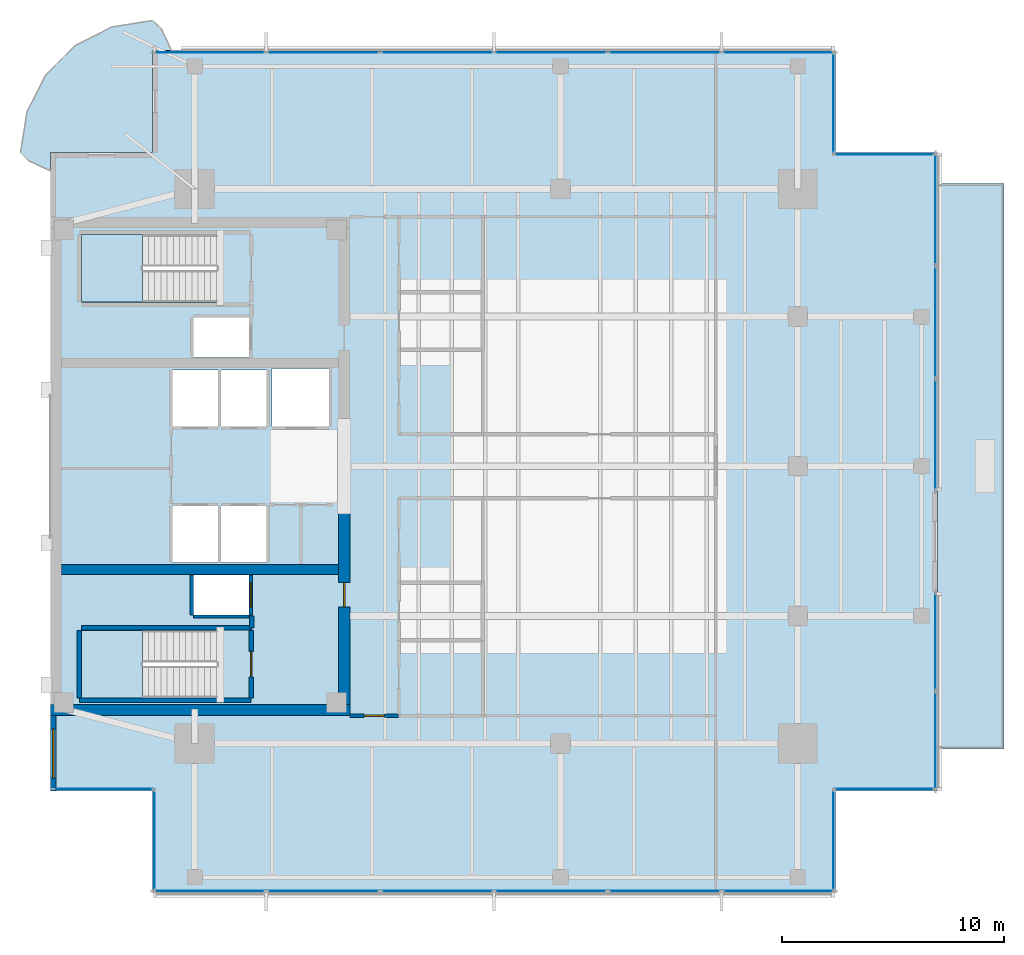
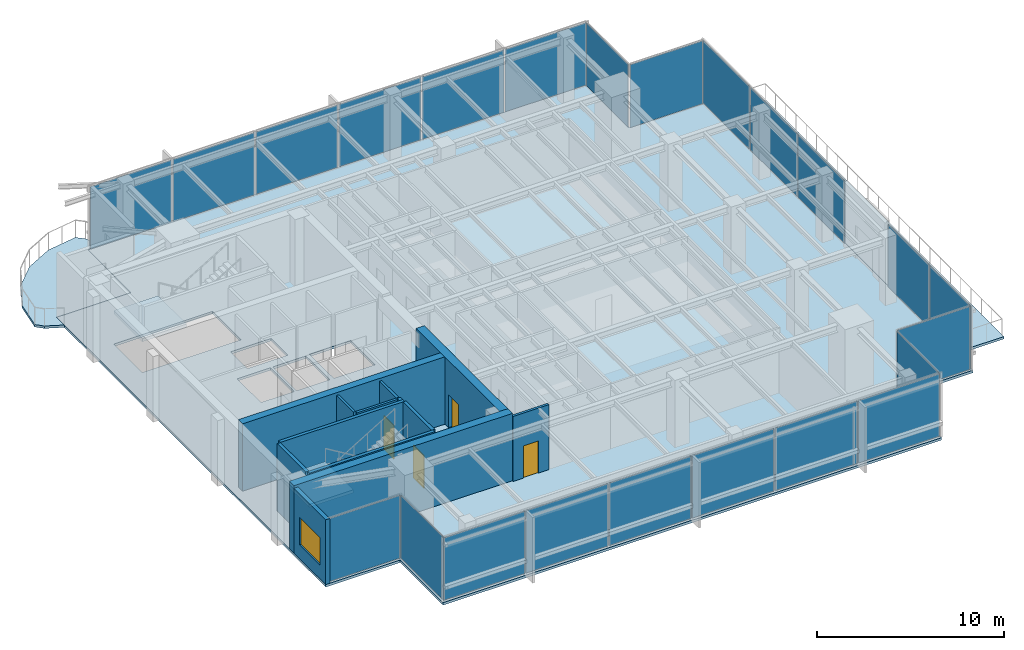
# One storey, part 7 of 14: 23 plates, 13 walls, 5 slabs, 4 doors, 1 window, 5 openings, 12 elements without a shape of their own.
"""IFC4 building model written with IfcOpenShell, lengths in metres."""

from ifc_helpers import new_model, si_unit, direction, frame, frame_2d, origin, origin_2d, place, context, subcontext, project, spatial, polyline, rectangle, outline, extrude, material, layer, layer_set, type_object, element, fill, aggregate, save


model = new_model("IFC4")

# Units and contexts
model_context = context("Model", 3, precision=1e-05, world=origin(), true_north=direction((0.0, 1.0)))
body_context = subcontext(model_context, "Body", "Model", "MODEL_VIEW")
ifc_project = project(units=[si_unit("LENGTHUNIT", "METRE"), si_unit("AREAUNIT", "SQUARE_METRE"), si_unit("VOLUMEUNIT", "CUBIC_METRE"), si_unit("PLANEANGLEUNIT", "RADIAN"), si_unit("MASSUNIT", "GRAM", prefix="KILO")], contexts=[model_context])

# Site, building, storey
site_placement = place(None, origin())
site = spatial("IfcSite", under=ifc_project, at=site_placement, CompositionType="ELEMENT")
building_placement = place(site_placement, origin())
building = spatial("IfcBuilding", under=site, at=building_placement, Name="Kinhvarn Gate Tower", CompositionType="ELEMENT")
storey_placement = place(building_placement, frame((0.0, 0.0, 244.85009765625)))
storey = spatial("IfcBuildingStorey", under=building, at=storey_placement, Name="L65", CompositionType="ELEMENT", Elevation=244.85009765625)

# Curtain wall, plates
ifc_material_1 = material(Name="Anodised aluminium AW-6063", Category="aluminium")
ifc_layer_1 = layer(ifc_material_1, 0.219970703125)
ifc_layer_set_1 = layer_set([ifc_layer_1], Name="Anodised aluminium AW-6063")
curtain_wall_type_1 = type_object("IfcCurtainWallType", Name="CW-SYS-5", PredefinedType="NOTDEFINED", material=ifc_layer_set_1)
curtain_wall_1_placement = place(storey_placement, origin())
curtain_wall_1 = element("IfcCurtainWall", 1, at=curtain_wall_1_placement, inside=storey, type_object=curtain_wall_type_1, Name="Curtain Wall CW5 (L65)", PredefinedType="NOTDEFINED")
ifc_material_2 = material(Name="Clear low-e double glazing", Category="glass")
ifc_layer_2 = layer(ifc_material_2, 0.031982421875)
ifc_layer_set_2 = layer_set([ifc_layer_2], Name="Clear low-e double glazing")
plate_type = type_object("IfcPlateType", Name="CW-PNL-VIS", PredefinedType="CURTAIN_PANEL", material=ifc_layer_set_2)
plate_1_placement = place(storey_placement, frame((11.686767578125, 6.090087890625, 0.079833984375), z_axis=(0.0, 0.0, 1.0), x_axis=(1.0, 0.0, 0.0)))
plate_1 = element("IfcPlate", 2, at=plate_1_placement, type_object=plate_type, Name="CW5 panel 1.1", PredefinedType="CURTAIN_PANEL", context=body_context, shape_type="SweptSolid", body=[
    extrude(rectangle(XDim=5.013427734375, YDim=0.031982421875, at=origin_2d()), origin(), (0.0, 0.0, 1.0), 4.080078125),
])
plate_2_placement = place(storey_placement, frame((16.800048828125, 6.090087890625, 0.079833984375), z_axis=(0.0, 0.0, 1.0), x_axis=(1.0, 0.0, 0.0)))
plate_2 = element("IfcPlate", 3, at=plate_2_placement, type_object=plate_type, Name="CW5 panel 2.1", PredefinedType="CURTAIN_PANEL", context=body_context, shape_type="SweptSolid", body=[
    extrude(rectangle(XDim=5.05322265625, YDim=0.031982421875, at=origin_2d()), origin(), (0.0, 0.0, 1.0), 4.080078125),
])
plate_3_placement = place(storey_placement, frame((21.933349609375, 6.090087890625, 0.079833984375), z_axis=(0.0, 0.0, 1.0), x_axis=(1.0, 0.0, 0.0)))
plate_3 = element("IfcPlate", 4, at=plate_3_placement, type_object=plate_type, Name="CW5 panel 3.1", PredefinedType="CURTAIN_PANEL", context=body_context, shape_type="SweptSolid", body=[
    extrude(rectangle(XDim=5.05322265625, YDim=0.031982421875, at=origin_2d()), origin(), (0.0, 0.0, 1.0), 4.080078125),
])
plate_4_placement = place(storey_placement, frame((27.066650390625, 6.090087890625, 0.079833984375), z_axis=(0.0, 0.0, 1.0), x_axis=(1.0, 0.0, 0.0)))
plate_4 = element("IfcPlate", 5, at=plate_4_placement, type_object=plate_type, Name="CW5 panel 4.1", PredefinedType="CURTAIN_PANEL", context=body_context, shape_type="SweptSolid", body=[
    extrude(rectangle(XDim=5.05322265625, YDim=0.031982421875, at=origin_2d()), origin(), (0.0, 0.0, 1.0), 4.080078125),
])
plate_5_placement = place(storey_placement, frame((32.199951171875, 6.090087890625, 0.079833984375), z_axis=(0.0, 0.0, 1.0), x_axis=(1.0, 0.0, 0.0)))
plate_5 = element("IfcPlate", 6, at=plate_5_placement, type_object=plate_type, Name="CW5 panel 5.1", PredefinedType="CURTAIN_PANEL", context=body_context, shape_type="SweptSolid", body=[
    extrude(rectangle(XDim=5.05322265625, YDim=0.031982421875, at=origin_2d()), origin(), (0.0, 0.0, 1.0), 4.080078125),
])
plate_6_placement = place(storey_placement, frame((37.313232421875, 6.090087890625, 0.079833984375), z_axis=(0.0, 0.0, 1.0), x_axis=(1.0, 0.0, 0.0)))
plate_6 = element("IfcPlate", 7, at=plate_6_placement, type_object=plate_type, Name="CW5 panel 6.1", PredefinedType="CURTAIN_PANEL", context=body_context, shape_type="SweptSolid", body=[
    extrude(rectangle(XDim=5.013427734375, YDim=0.031982421875, at=origin_2d()), origin(), (0.0, 0.0, 1.0), 4.080078125),
])
aggregate(curtain_wall_1, [plate_1, plate_2, plate_3, plate_4, plate_5, plate_6])

curtain_wall_2_placement = place(storey_placement, origin())
curtain_wall_2 = element("IfcCurtainWall", 8, at=curtain_wall_2_placement, inside=storey, type_object=curtain_wall_type_1, Name="Curtain Wall CW5 (L65)", PredefinedType="NOTDEFINED")
plate_7_placement = place(storey_placement, frame((37.313232421875, 43.909912109375, 0.079833984375), z_axis=(0.0, 0.0, 1.0), x_axis=(-1.0, 0.0, 0.0)))
plate_7 = element("IfcPlate", 9, at=plate_7_placement, type_object=plate_type, Name="CW5 panel 1.1", PredefinedType="CURTAIN_PANEL", context=body_context, shape_type="SweptSolid", body=[
    extrude(rectangle(XDim=5.013427734375, YDim=0.031982421875, at=origin_2d()), origin(), (0.0, 0.0, 1.0), 4.080078125),
])
plate_8_placement = place(storey_placement, frame((32.199951171875, 43.909912109375, 0.079833984375), z_axis=(0.0, 0.0, 1.0), x_axis=(-1.0, 0.0, 0.0)))
plate_8 = element("IfcPlate", 10, at=plate_8_placement, type_object=plate_type, Name="CW5 panel 2.1", PredefinedType="CURTAIN_PANEL", context=body_context, shape_type="SweptSolid", body=[
    extrude(rectangle(XDim=5.05322265625, YDim=0.031982421875, at=origin_2d()), origin(), (0.0, 0.0, 1.0), 4.080078125),
])
plate_9_placement = place(storey_placement, frame((27.066650390625, 43.909912109375, 0.079833984375), z_axis=(0.0, 0.0, 1.0), x_axis=(-1.0, 0.0, 0.0)))
plate_9 = element("IfcPlate", 11, at=plate_9_placement, type_object=plate_type, Name="CW5 panel 3.1", PredefinedType="CURTAIN_PANEL", context=body_context, shape_type="SweptSolid", body=[
    extrude(rectangle(XDim=5.05322265625, YDim=0.031982421875, at=origin_2d()), origin(), (0.0, 0.0, 1.0), 4.080078125),
])
plate_10_placement = place(storey_placement, frame((21.933349609375, 43.909912109375, 0.079833984375), z_axis=(0.0, 0.0, 1.0), x_axis=(-1.0, 0.0, 0.0)))
plate_10 = element("IfcPlate", 12, at=plate_10_placement, type_object=plate_type, Name="CW5 panel 4.1", PredefinedType="CURTAIN_PANEL", context=body_context, shape_type="SweptSolid", body=[
    extrude(rectangle(XDim=5.05322265625, YDim=0.031982421875, at=origin_2d()), origin(), (0.0, 0.0, 1.0), 4.080078125),
])
plate_11_placement = place(storey_placement, frame((16.800048828125, 43.909912109375, 0.079833984375), z_axis=(0.0, 0.0, 1.0), x_axis=(-1.0, 0.0, 0.0)))
plate_11 = element("IfcPlate", 13, at=plate_11_placement, type_object=plate_type, Name="CW5 panel 5.1", PredefinedType="CURTAIN_PANEL", context=body_context, shape_type="SweptSolid", body=[
    extrude(rectangle(XDim=5.05322265625, YDim=0.031982421875, at=origin_2d()), origin(), (0.0, 0.0, 1.0), 4.080078125),
])
plate_12_placement = place(storey_placement, frame((11.686767578125, 43.909912109375, 0.079833984375), z_axis=(0.0, 0.0, 1.0), x_axis=(-1.0, 0.0, 0.0)))
plate_12 = element("IfcPlate", 14, at=plate_12_placement, type_object=plate_type, Name="CW5 panel 6.1", PredefinedType="CURTAIN_PANEL", context=body_context, shape_type="SweptSolid", body=[
    extrude(rectangle(XDim=5.013427734375, YDim=0.031982421875, at=origin_2d()), origin(), (0.0, 0.0, 1.0), 4.080078125),
])
aggregate(curtain_wall_2, [plate_7, plate_8, plate_9, plate_10, plate_11, plate_12])

curtain_wall_3_placement = place(storey_placement, origin())
curtain_wall_3 = element("IfcCurtainWall", 15, at=curtain_wall_3_placement, inside=storey, type_object=curtain_wall_type_1, Name="Curtain Wall CW5 (L65)", PredefinedType="NOTDEFINED")
plate_13_placement = place(storey_placement, frame((44.409912109375, 12.8701171875, 0.079833984375), z_axis=(0.0, 0.0, 1.0), x_axis=(0.0, 1.0, 0.0)))
plate_13 = element("IfcPlate", 16, at=plate_13_placement, type_object=plate_type, Name="CW5 panel 1.1", PredefinedType="CURTAIN_PANEL", context=body_context, shape_type="SweptSolid", body=[
    extrude(rectangle(XDim=4.3798828125, YDim=0.031982421875, at=origin_2d()), origin(), (0.0, 0.0, 1.0), 4.080078125),
])
plate_14_placement = place(storey_placement, frame((44.409912109375, 17.330078125, 0.079833984375), z_axis=(0.0, 0.0, 1.0), x_axis=(0.0, 1.0, 0.0)))
plate_14 = element("IfcPlate", 17, at=plate_14_placement, type_object=plate_type, Name="CW5 panel 2.1", PredefinedType="CURTAIN_PANEL", context=body_context, shape_type="SweptSolid", body=[
    extrude(rectangle(XDim=4.3798828125, YDim=0.031982421875, at=origin_2d()), origin(), (0.0, 0.0, 1.0), 4.080078125),
])
aggregate(curtain_wall_3, [plate_13, plate_14])

curtain_wall_4_placement = place(storey_placement, origin())
curtain_wall_4 = element("IfcCurtainWall", 18, at=curtain_wall_4_placement, inside=storey, type_object=curtain_wall_type_1, Name="Curtain Wall CW5 (L65)", PredefinedType="NOTDEFINED")
plate_15_placement = place(storey_placement, frame((44.409912109375, 26.669921875, 0.079833984375), z_axis=(0.0, 0.0, 1.0), x_axis=(0.0, 1.0, 0.0)))
plate_15 = element("IfcPlate", 19, at=plate_15_placement, type_object=plate_type, Name="CW5 panel 1.1", PredefinedType="CURTAIN_PANEL", context=body_context, shape_type="SweptSolid", body=[
    extrude(rectangle(XDim=4.97998046875, YDim=0.031982421875, at=origin_2d()), origin(), (0.0, 0.0, 1.0), 4.080078125),
])
plate_16_placement = place(storey_placement, frame((44.409912109375, 31.75, 0.079833984375), z_axis=(0.0, 0.0, 1.0), x_axis=(0.0, 1.0, 0.0)))
plate_16 = element("IfcPlate", 20, at=plate_16_placement, type_object=plate_type, Name="CW5 panel 2.1", PredefinedType="CURTAIN_PANEL", context=body_context, shape_type="SweptSolid", body=[
    extrude(rectangle(XDim=5.02001953125, YDim=0.031982421875, at=origin_2d()), origin(), (0.0, 0.0, 1.0), 4.080078125),
])
plate_17_placement = place(storey_placement, frame((44.409912109375, 36.830078125, 0.079833984375), z_axis=(0.0, 0.0, 1.0), x_axis=(0.0, 1.0, 0.0)))
plate_17 = element("IfcPlate", 21, at=plate_17_placement, type_object=plate_type, Name="CW5 panel 3.1", PredefinedType="CURTAIN_PANEL", context=body_context, shape_type="SweptSolid", body=[
    extrude(rectangle(XDim=4.97998046875, YDim=0.031982421875, at=origin_2d()), origin(), (0.0, 0.0, 1.0), 4.080078125),
])
aggregate(curtain_wall_4, [plate_15, plate_16, plate_17])

# Curtain wall, plate
ifc_layer_3 = layer(ifc_material_1, 0.179931640625)
ifc_layer_set_3 = layer_set([ifc_layer_3], Name="Anodised aluminium AW-6063")
curtain_wall_type_2 = type_object("IfcCurtainWallType", Name="CW-SYS-4", PredefinedType="NOTDEFINED", material=ifc_layer_set_3)
curtain_wall_5_placement = place(storey_placement, origin())
curtain_wall_5 = element("IfcCurtainWall", 22, at=curtain_wall_5_placement, inside=storey, type_object=curtain_wall_type_2, Name="Curtain Wall CW4 (L65)", PredefinedType="NOTDEFINED")
plate_18_placement = place(storey_placement, frame((6.889892578125, 10.68994140625, 0.06494140625), z_axis=(0.0, 0.0, 1.0), x_axis=(1.0, 0.0, 0.0)))
plate_18 = element("IfcPlate", 23, at=plate_18_placement, type_object=plate_type, Name="CW4 panel 1.1", PredefinedType="CURTAIN_PANEL", context=body_context, shape_type="SweptSolid", body=[
    extrude(rectangle(XDim=4.469970703125, YDim=0.031982421875, at=origin_2d()), origin(), (0.0, 0.0, 1.0), 4.110107421875),
])
aggregate(curtain_wall_5, [plate_18])

curtain_wall_6_placement = place(storey_placement, origin())
curtain_wall_6 = element("IfcCurtainWall", 24, at=curtain_wall_6_placement, inside=storey, type_object=curtain_wall_type_2, Name="Curtain Wall CW4 (L65)", PredefinedType="NOTDEFINED")
plate_19_placement = place(storey_placement, frame((9.18994140625, 8.389892578125, 0.06494140625), z_axis=(0.0, 0.0, 1.0), x_axis=(0.0, -1.0, 0.0)))
plate_19 = element("IfcPlate", 25, at=plate_19_placement, type_object=plate_type, Name="CW4 panel 1.1", PredefinedType="CURTAIN_PANEL", context=body_context, shape_type="SweptSolid", body=[
    extrude(rectangle(XDim=4.469970703125, YDim=0.031982421875, at=origin_2d()), origin(), (0.0, 0.0, 1.0), 4.110107421875),
])
aggregate(curtain_wall_6, [plate_19])

curtain_wall_7_placement = place(storey_placement, origin())
curtain_wall_7 = element("IfcCurtainWall", 26, at=curtain_wall_7_placement, inside=storey, type_object=curtain_wall_type_2, Name="Curtain Wall CW4 (L65)", PredefinedType="NOTDEFINED")
plate_20_placement = place(storey_placement, frame((39.81005859375, 8.389892578125, 0.06494140625), z_axis=(0.0, 0.0, 1.0), x_axis=(0.0, 1.0, 0.0)))
plate_20 = element("IfcPlate", 27, at=plate_20_placement, type_object=plate_type, Name="CW4 panel 1.1", PredefinedType="CURTAIN_PANEL", context=body_context, shape_type="SweptSolid", body=[
    extrude(rectangle(XDim=4.469970703125, YDim=0.031982421875, at=origin_2d()), origin(), (0.0, 0.0, 1.0), 4.110107421875),
])
aggregate(curtain_wall_7, [plate_20])

curtain_wall_8_placement = place(storey_placement, origin())
curtain_wall_8 = element("IfcCurtainWall", 28, at=curtain_wall_8_placement, inside=storey, type_object=curtain_wall_type_2, Name="Curtain Wall CW4 (L65)", PredefinedType="NOTDEFINED")
plate_21_placement = place(storey_placement, frame((42.110107421875, 10.68994140625, 0.06494140625), z_axis=(0.0, 0.0, 1.0), x_axis=(1.0, 0.0, 0.0)))
plate_21 = element("IfcPlate", 29, at=plate_21_placement, type_object=plate_type, Name="CW4 panel 1.1", PredefinedType="CURTAIN_PANEL", context=body_context, shape_type="SweptSolid", body=[
    extrude(rectangle(XDim=4.469970703125, YDim=0.031982421875, at=origin_2d()), origin(), (0.0, 0.0, 1.0), 4.110107421875),
])
aggregate(curtain_wall_8, [plate_21])

curtain_wall_9_placement = place(storey_placement, origin())
curtain_wall_9 = element("IfcCurtainWall", 30, at=curtain_wall_9_placement, inside=storey, type_object=curtain_wall_type_2, Name="Curtain Wall CW4 (L65)", PredefinedType="NOTDEFINED")
plate_22_placement = place(storey_placement, frame((42.110107421875, 39.31005859375, 0.06494140625), z_axis=(0.0, 0.0, 1.0), x_axis=(-1.0, 0.0, 0.0)))
plate_22 = element("IfcPlate", 31, at=plate_22_placement, type_object=plate_type, Name="CW4 panel 1.1", PredefinedType="CURTAIN_PANEL", context=body_context, shape_type="SweptSolid", body=[
    extrude(rectangle(XDim=4.469970703125, YDim=0.031982421875, at=origin_2d()), origin(), (0.0, 0.0, 1.0), 4.110107421875),
])
aggregate(curtain_wall_9, [plate_22])

curtain_wall_10_placement = place(storey_placement, origin())
curtain_wall_10 = element("IfcCurtainWall", 32, at=curtain_wall_10_placement, inside=storey, type_object=curtain_wall_type_2, Name="Curtain Wall CW4 (L65)", PredefinedType="NOTDEFINED")
plate_23_placement = place(storey_placement, frame((39.81005859375, 41.610107421875, 0.06494140625), z_axis=(0.0, 0.0, 1.0), x_axis=(0.0, 1.0, 0.0)))
plate_23 = element("IfcPlate", 33, at=plate_23_placement, type_object=plate_type, Name="CW4 panel 1.1", PredefinedType="CURTAIN_PANEL", context=body_context, shape_type="SweptSolid", body=[
    extrude(rectangle(XDim=4.469970703125, YDim=0.031982421875, at=origin_2d()), origin(), (0.0, 0.0, 1.0), 4.110107421875),
])
aggregate(curtain_wall_10, [plate_23])

# Slabs
ifc_material_3 = material(Name="Precast white architectural concrete C40/50", Category="concrete")
ifc_layer_4 = layer(ifc_material_3, 0.159912109375)
ifc_layer_set_4 = layer_set([ifc_layer_4], Name="Precast white architectural concrete C40/50")
slab_type_1 = type_object("IfcSlabType", Name="SLB-BAL-160", PredefinedType="FLOOR", material=ifc_layer_set_4)
slab_1_placement = place(storey_placement, frame((0.0, 0.0, -0.16015625)))
element("IfcSlab", 34, at=slab_1_placement, inside=storey, type_object=slab_type_1, Name="S-Carve Curved Terrace Balcony Slab L65 (NW)", PredefinedType="FLOOR", context=body_context, shape_type="SweptSolid", body=[
    extrude(outline(polyline([(9.9541015625, 44.0), (9.50390625, 44.971923828125), (9.10009765625, 45.35009765625), (7.26123046875, 45.058837890625), (5.602783203125, 44.213623046875), (4.286376953125, 42.897216796875), (3.441162109375, 41.23876953125), (3.14990234375, 39.39990234375), (3.528076171875, 39.02001953125), (4.5, 38.570068359375), (4.5, 39.39990234375), (9.10009765625, 39.39990234375), (9.10009765625, 44.0), (9.9541015625, 44.0)])), origin(), (0.0, 0.0, 1.0), 0.16015625),
])
ifc_material_4 = material(Name="Concrete C40/50", Category="concrete")
ifc_layer_5 = layer(ifc_material_4, 0.159912109375)
ifc_layer_set_5 = layer_set([ifc_layer_5], Name="Concrete C40/50")
slab_type_2 = type_object("IfcSlabType", Name="SLB-FLR-160", PredefinedType="FLOOR", material=ifc_layer_set_5)
slab_2_placement = place(storey_placement, frame((0.0, 0.0, -0.16015625)))
element("IfcSlab", 35, at=slab_2_placement, inside=storey, type_object=slab_type_2, Name="Suspended Floor Slab L65", PredefinedType="FLOOR", context=body_context, shape_type="SweptSolid", body=[
    extrude(outline(polyline([(9.10009765625, 6.0), (39.89990234375, 6.0), (39.89990234375, 10.60009765625), (44.5, 10.60009765625), (44.5, 39.39990234375), (39.89990234375, 39.39990234375), (39.89990234375, 44.0), (9.10009765625, 44.0), (9.10009765625, 39.39990234375), (4.5, 39.39990234375), (4.5, 10.60009765625), (9.10009765625, 10.60009765625), (9.10009765625, 6.0)]), holes=[polyline([(5.89990234375, 14.800048828125), (12.0, 14.800048828125), (12.0, 17.85009765625), (5.89990234375, 17.85009765625), (5.89990234375, 14.800048828125)]), polyline([(5.89990234375, 32.64990234375), (12.0, 32.64990234375), (12.0, 35.699951171875), (5.89990234375, 35.699951171875), (5.89990234375, 32.64990234375)]), polyline([(10.0, 20.89990234375), (12.050048828125, 20.89990234375), (12.050048828125, 23.449951171875), (10.0, 23.449951171875), (10.0, 20.89990234375)]), polyline([(12.199951171875, 20.89990234375), (14.25, 20.89990234375), (14.25, 23.449951171875), (12.199951171875, 23.449951171875), (12.199951171875, 20.89990234375)]), polyline([(10.0, 27.050048828125), (12.050048828125, 27.050048828125), (12.050048828125, 29.60009765625), (10.0, 29.60009765625), (10.0, 27.050048828125)]), polyline([(12.199951171875, 27.050048828125), (14.25, 27.050048828125), (14.25, 29.60009765625), (12.199951171875, 29.60009765625), (12.199951171875, 27.050048828125)]), polyline([(14.5, 27.050048828125), (17.050048828125, 27.050048828125), (17.050048828125, 29.64990234375), (14.5, 29.64990234375), (14.5, 27.050048828125)]), polyline([(10.949951171875, 18.550048828125), (13.449951171875, 18.550048828125), (13.449951171875, 20.35009765625), (10.949951171875, 20.35009765625), (10.949951171875, 18.550048828125)]), polyline([(10.949951171875, 30.14990234375), (13.449951171875, 30.14990234375), (13.449951171875, 31.949951171875), (10.949951171875, 31.949951171875), (10.949951171875, 30.14990234375)])]), origin(), (0.0, 0.0, 1.0), 0.16015625),
])

# Stair, slab
stair_type = type_object("IfcStairType", Name="STR-DLG-169", PredefinedType="HALF_TURN_STAIR", material=ifc_material_4)
stair_1_placement = place(storey_placement, origin())
stair_1 = element("IfcStair", 36, at=stair_1_placement, inside=storey, type_object=stair_type, Name="L65 Core Smokeproof Exit Stair ST1", PredefinedType="HALF_TURN_STAIR")
ifc_layer_6 = layer(ifc_material_4, 0.199951171875)
ifc_layer_set_6 = layer_set([ifc_layer_6], Name="Concrete C40/50")
slab_type_3 = type_object("IfcSlabType", Name="SLB-ST-LND", PredefinedType="LANDING", material=ifc_layer_set_6)
slab_3_placement = place(storey_placement, frame((0.0, 0.0, 2.0)))
slab_3 = element("IfcSlab", 37, at=slab_3_placement, type_object=slab_type_3, Name="ST1 landing 1", PredefinedType="LANDING", context=body_context, shape_type="SweptSolid", body=[
    extrude(outline(polyline([(8.639892578125, 17.85009765625), (5.89990234375, 17.85009765625), (5.89990234375, 14.800048828125), (8.639892578125, 14.800048828125), (8.639892578125, 17.85009765625)])), origin(), (0.0, 0.0, 1.0), 0.199951171875),
])
aggregate(stair_1, [slab_3])

stair_2_placement = place(storey_placement, origin())
stair_2 = element("IfcStair", 38, at=stair_2_placement, inside=storey, type_object=stair_type, Name="L65 Core Smokeproof Exit Stair ST2", PredefinedType="HALF_TURN_STAIR")
slab_4_placement = place(storey_placement, frame((0.0, 0.0, 2.0)))
slab_4 = element("IfcSlab", 39, at=slab_4_placement, type_object=slab_type_3, Name="ST2 landing 1", PredefinedType="LANDING", context=body_context, shape_type="SweptSolid", body=[
    extrude(outline(polyline([(8.639892578125, 35.699951171875), (5.89990234375, 35.699951171875), (5.89990234375, 32.64990234375), (8.639892578125, 32.64990234375), (8.639892578125, 35.699951171875)])), origin(), (0.0, 0.0, 1.0), 0.199951171875),
])
aggregate(stair_2, [slab_4])

# Slab
ifc_layer_7 = layer(ifc_material_4, 0.159912109375)
ifc_layer_set_7 = layer_set([ifc_layer_7], Name="Concrete C40/50")
slab_type_4 = type_object("IfcSlabType", Name="SLB-TER-160", PredefinedType="ROOF", material=ifc_layer_set_7)
slab_5_placement = place(storey_placement, frame((0.0, 0.0, -0.16015625)))
element("IfcSlab", 40, at=slab_5_placement, inside=storey, type_object=slab_type_4, Name="High-Zone Sky-Lobby Setback Terrace Roof Slab L65", PredefinedType="ROOF", context=body_context, shape_type="SweptSolid", body=[
    extrude(outline(polyline([(44.5, 12.5), (47.5, 12.5), (47.5, 38.0), (44.5, 38.0), (44.5, 12.5)])), origin(), (0.0, 0.0, 1.0), 0.16015625),
])

# Walls
ifc_material_5 = material(Name="Concrete C50/60", Category="concrete")
ifc_layer_8 = layer(ifc_material_5, 0.449951171875)
ifc_layer_set_8 = layer_set([ifc_layer_8], Name="Concrete C50/60")
wall_type_1 = type_object("IfcWallType", Name="WL-CORE-450", PredefinedType="SHEAR", material=ifc_layer_set_8)
wall_1_placement = place(storey_placement, frame((5.0, 20.60009765625, 0.0), z_axis=(0.0, 0.0, 1.0), x_axis=(1.0, 0.0, 0.0)))
element("IfcWall", 41, at=wall_1_placement, inside=storey, type_object=wall_type_1, Name="Core South Spine Shear Wall L65 450 mm", PredefinedType="SHEAR", context=body_context, shape_type="SweptSolid", body=[
    extrude(rectangle(XDim=12.5, YDim=0.449951171875, at=frame_2d((6.25, 0.0))), origin(), (0.0, 0.0, 1.0), 4.39990234375),
])
ifc_layer_9 = layer(ifc_material_5, 0.5)
ifc_layer_set_9 = layer_set([ifc_layer_9], Name="Concrete C50/60")
wall_type_2 = type_object("IfcWallType", Name="WL-CORE-500", PredefinedType="SHEAR", material=ifc_layer_set_9)
wall_2_placement = place(storey_placement, frame((4.5, 14.25, 0.0), z_axis=(0.0, 0.0, 1.0), x_axis=(1.0, 0.0, 0.0)))
element("IfcWall", 42, at=wall_2_placement, inside=storey, type_object=wall_type_2, Name="Core South Shear Wall L65 500 mm", PredefinedType="SHEAR", context=body_context, shape_type="SweptSolid", body=[
    extrude(rectangle(XDim=13.5, YDim=0.5, at=frame_2d((6.75, 0.0))), origin(), (0.0, 0.0, 1.0), 4.39990234375),
])

# Wall, opening, door
wall_3_placement = place(storey_placement, frame((17.75, 14.5, 0.0), z_axis=(0.0, 0.0, 1.0), x_axis=(0.0, 1.0, 0.0)))
wall_3 = element("IfcWall", 43, at=wall_3_placement, inside=storey, type_object=wall_type_2, Name="Core East-South Shear Pier L65 500 mm", PredefinedType="SHEAR", context=body_context, shape_type="SweptSolid", body=[
    extrude(rectangle(XDim=8.949951171875, YDim=0.5, at=frame_2d((4.47509765625, 0.0))), origin(), (0.0, 0.0, 1.0), 4.39990234375),
])
opening_1_placement = place(wall_3_placement, frame((4.39990234375, 0.0, 0.0)))
opening_1 = element("IfcOpeningElement", 44, at=opening_1_placement, cuts=wall_3, Name="Opening FD-02", PredefinedType="OPENING", context=body_context, shape_type="SweptSolid", body=[
    extrude(rectangle(XDim=1.10009765625, YDim=2.14990234375, at=frame_2d((0.550048828125, 1.074951171875))), frame((0.0, 0.260009765625, 0.0), z_axis=(0.0, -1.0, 0.0), x_axis=(1.0, 0.0, 0.0)), (0.0, 0.0, 1.0), 0.52001953125),
])
door_type_1 = type_object("IfcDoorType", Name="DR-FD-1100", OperationType="NOTDEFINED", PredefinedType="DOOR", material=ifc_material_1)
door_1_placement = place(opening_1_placement, origin())
door_1 = element("IfcDoor", 45, at=door_1_placement, inside=storey, type_object=door_type_1, Name="Firefighting Lobby Core Door (L65)", OperationType="SINGLE_SWING_RIGHT", OverallHeight=2.14990234375, OverallWidth=1.10009765625, PredefinedType="DOOR", context=body_context, shape_type="SweptSolid", body=[
    extrude(rectangle(XDim=1.10009765625, YDim=2.14990234375, at=frame_2d((0.550048828125, 1.074951171875))), frame((0.0, 0.02490234375, 0.0), z_axis=(0.0, -1.0, 0.0), x_axis=(1.0, 0.0, 0.0)), (0.0, 0.0, 1.0), 0.050048828125),
])
fill(opening_1, door_1)

# Wall, opening, window
ifc_material_6 = material(Name="Fired architectural terracotta", Category="masonry")
ifc_layer_10 = layer(ifc_material_6, 0.25)
ifc_layer_set_10 = layer_set([ifc_layer_10], Name="Fired architectural terracotta")
wall_type_3 = type_object("IfcWallType", Name="WL-EXT-250", PredefinedType="SOLIDWALL", material=ifc_layer_set_10)
wall_4_placement = place(storey_placement, frame((4.625, 14.0, 0.0), z_axis=(0.0, 0.0, 1.0), x_axis=(0.0, -1.0, 0.0)))
wall_4 = element("IfcWall", 46, at=wall_4_placement, inside=storey, type_object=wall_type_3, Name="Exterior Solidwall Wall EW-250 (L65 West-South)", PredefinedType="SOLIDWALL", context=body_context, shape_type="SweptSolid", body=[
    extrude(rectangle(XDim=3.39990234375, YDim=0.25, at=frame_2d((1.699951171875, 0.0))), origin(), (0.0, 0.0, 1.0), 4.239990234375),
])
opening_2_placement = place(wall_4_placement, frame((0.60009765625, 0.0, 0.89990234375)))
opening_2 = element("IfcOpeningElement", 47, at=opening_2_placement, cuts=wall_4, Name="Opening WN-01", PredefinedType="OPENING", context=body_context, shape_type="SweptSolid", body=[
    extrude(rectangle(XDim=2.199951171875, YDim=1.800048828125, at=frame_2d((1.10009765625, 0.89990234375))), frame((0.0, 0.135009765625, 0.0), z_axis=(0.0, -1.0, 0.0), x_axis=(1.0, 0.0, 0.0)), (0.0, 0.0, 1.0), 0.27001953125),
])
window_type = type_object("IfcWindowType", Name="WIN-RIB-2200", PartitioningType="SINGLE_PANEL", PredefinedType="WINDOW", material=ifc_material_2)
window_placement = place(opening_2_placement, origin())
window = element("IfcWindow", 48, at=window_placement, inside=storey, type_object=window_type, Name="West Flank Double-Glazed Ribbon Window 2200x1800 mm (L65)", OverallHeight=1.800048828125, OverallWidth=2.199951171875, PartitioningType="SINGLE_PANEL", PredefinedType="WINDOW", context=body_context, shape_type="SweptSolid", body=[
    extrude(rectangle(XDim=2.199951171875, YDim=1.800048828125, at=frame_2d((1.10009765625, 0.89990234375))), frame((0.0, 0.030029296875, 0.0), z_axis=(0.0, -1.0, 0.0), x_axis=(1.0, 0.0, 0.0)), (0.0, 0.0, 1.0), 0.06005859375),
])
fill(opening_2, window)

# Wall, opening, door
ifc_material_7 = material(Name="Gypsum acoustic partition board")
ifc_layer_11 = layer(ifc_material_7, 0.14990234375)
ifc_layer_set_11 = layer_set([ifc_layer_11], Name="Gypsum acoustic partition board")
wall_type_4 = type_object("IfcWallType", Name="WL-PRT-150F", PredefinedType="PARTITIONING", material=ifc_layer_set_11)
wall_5_placement = place(storey_placement, frame((18.0, 14.0, 0.0), z_axis=(0.0, 0.0, 1.0), x_axis=(1.0, 0.0, 0.0)))
wall_5 = element("IfcWall", 49, at=wall_5_placement, inside=storey, type_object=wall_type_4, Name="Interior Partition PW-150F (L65)", PredefinedType="PARTITIONING", context=body_context, shape_type="SweptSolid", body=[
    extrude(rectangle(XDim=2.199951171875, YDim=0.14990234375, at=frame_2d((1.10009765625, 0.0))), origin(), (0.0, 0.0, 1.0), 4.239990234375),
])
opening_3_placement = place(wall_5_placement, frame((0.64990234375, 0.0, 0.0)))
opening_3 = element("IfcOpeningElement", 50, at=opening_3_placement, cuts=wall_5, Name="Opening ID-03", PredefinedType="OPENING", context=body_context, shape_type="SweptSolid", body=[
    extrude(rectangle(XDim=0.89990234375, YDim=2.10009765625, at=frame_2d((0.449951171875, 1.050048828125))), frame((0.0, 0.0849609375, 0.0), z_axis=(0.0, -1.0, 0.0), x_axis=(1.0, 0.0, 0.0)), (0.0, 0.0, 1.0), 0.169921875),
])
door_type_2 = type_object("IfcDoorType", Name="DR-INT-900", OperationType="NOTDEFINED", PredefinedType="DOOR", material=ifc_material_1)
door_2_placement = place(opening_3_placement, origin())
door_2 = element("IfcDoor", 51, at=door_2_placement, inside=storey, type_object=door_type_2, Name="Cellular Office & Restroom Door 900x2100 mm (L65)", OperationType="SINGLE_SWING_RIGHT", OverallHeight=2.10009765625, OverallWidth=0.89990234375, PredefinedType="DOOR", context=body_context, shape_type="SweptSolid", body=[
    extrude(rectangle(XDim=0.89990234375, YDim=2.10009765625, at=frame_2d((0.449951171875, 1.050048828125))), frame((0.0, 0.02490234375, 0.0), z_axis=(0.0, -1.0, 0.0), x_axis=(1.0, 0.0, 0.0)), (0.0, 0.0, 1.0), 0.050048828125),
])
fill(opening_3, door_2)

# Walls
ifc_layer_12 = layer(ifc_material_7, 0.199951171875)
ifc_layer_set_12 = layer_set([ifc_layer_12], Name="Gypsum acoustic partition board")
wall_type_5 = type_object("IfcWallType", Name="WL-PRT-200", PredefinedType="PARTITIONING", material=ifc_layer_set_12)
wall_6_placement = place(storey_placement, frame((13.580078125, 17.9599609375, 0.0), z_axis=(0.0, 0.0, 1.0), x_axis=(0.0, 1.0, 0.0)))
element("IfcWall", 52, at=wall_6_placement, inside=storey, type_object=wall_type_5, Name="Interior Partition PW-200 (L65)", PredefinedType="PARTITIONING", context=body_context, shape_type="SweptSolid", body=[
    extrude(rectangle(XDim=0.5400390625, YDim=0.199951171875, at=frame_2d((0.27001953125, 0.0))), origin(), (0.0, 0.0, 1.0), 4.239990234375),
])
ifc_layer_13 = layer(ifc_material_7, 0.14990234375)
ifc_layer_set_13 = layer_set([ifc_layer_13], Name="Gypsum acoustic partition board")
wall_type_6 = type_object("IfcWallType", Name="WL-SHF-150", PredefinedType="PARTITIONING", material=ifc_layer_set_13)
wall_7_placement = place(storey_placement, frame((10.949951171875, 18.47509765625, 0.0), z_axis=(0.0, 0.0, 1.0), x_axis=(1.0, 0.0, 0.0)))
element("IfcWall", 53, at=wall_7_placement, inside=storey, type_object=wall_type_6, Name="Elevator FF1 Hoistway Wall S (L65)", PredefinedType="PARTITIONING", context=body_context, shape_type="SweptSolid", body=[
    extrude(rectangle(XDim=2.5, YDim=0.14990234375, at=frame_2d((1.25, 0.0))), origin(), (0.0, 0.0, 1.0), 4.239990234375),
])
wall_8_placement = place(storey_placement, frame((10.875, 18.550048828125, 0.0), z_axis=(0.0, 0.0, 1.0), x_axis=(0.0, 1.0, 0.0)))
element("IfcWall", 54, at=wall_8_placement, inside=storey, type_object=wall_type_6, Name="Elevator FF1 Hoistway Wall W (L65)", PredefinedType="PARTITIONING", context=body_context, shape_type="SweptSolid", body=[
    extrude(rectangle(XDim=1.800048828125, YDim=0.14990234375, at=frame_2d((0.89990234375, 0.0))), origin(), (0.0, 0.0, 1.0), 4.239990234375),
])

# Wall, opening, door
wall_9_placement = place(storey_placement, frame((13.52490234375, 18.550048828125, 0.0), z_axis=(0.0, 0.0, 1.0), x_axis=(0.0, 1.0, 0.0)))
wall_9 = element("IfcWall", 55, at=wall_9_placement, inside=storey, type_object=wall_type_6, Name="Elevator FF1 Landing Wall (L65)", PredefinedType="PARTITIONING", context=body_context, shape_type="SweptSolid", body=[
    extrude(rectangle(XDim=1.800048828125, YDim=0.14990234375, at=frame_2d((0.89990234375, 0.0))), origin(), (0.0, 0.0, 1.0), 4.239990234375),
])
opening_4_placement = place(wall_9_placement, frame((0.35009765625, 0.0, 0.0)))
opening_4 = element("IfcOpeningElement", 56, at=opening_4_placement, cuts=wall_9, Name="Opening LD-03", PredefinedType="OPENING", context=body_context, shape_type="SweptSolid", body=[
    extrude(rectangle(XDim=1.10009765625, YDim=2.199951171875, at=frame_2d((0.550048828125, 1.10009765625))), frame((0.0, 0.0849609375, 0.0), z_axis=(0.0, -1.0, 0.0), x_axis=(1.0, 0.0, 0.0)), (0.0, 0.0, 1.0), 0.169921875),
])
door_type_3 = type_object("IfcDoorType", Name="DR-LND-FF", OperationType="NOTDEFINED", PredefinedType="DOOR", material=ifc_material_1)
door_3_placement = place(opening_4_placement, origin())
door_3 = element("IfcDoor", 57, at=door_3_placement, inside=storey, type_object=door_type_3, Name="Elevator FF1 Sliding Landing Door (L65)", OperationType="DOUBLE_DOOR_SLIDING", OverallHeight=2.199951171875, OverallWidth=1.10009765625, PredefinedType="DOOR", context=body_context, shape_type="SweptSolid", body=[
    extrude(rectangle(XDim=1.10009765625, YDim=2.199951171875, at=frame_2d((0.550048828125, 1.10009765625))), frame((0.0, 0.02490234375, 0.0), z_axis=(0.0, -1.0, 0.0), x_axis=(1.0, 0.0, 0.0)), (0.0, 0.0, 1.0), 0.050048828125),
])
fill(opening_4, door_3)

# Walls
ifc_layer_14 = layer(ifc_material_4, 0.199951171875)
ifc_layer_set_14 = layer_set([ifc_layer_14], Name="Concrete C40/50")
wall_type_7 = type_object("IfcWallType", Name="WL-SHF-200", PredefinedType="SOLIDWALL", material=ifc_layer_set_14)
wall_10_placement = place(storey_placement, frame((5.800048828125, 14.699951171875, 0.0), z_axis=(0.0, 0.0, 1.0), x_axis=(1.0, 0.0, 0.0)))
element("IfcWall", 58, at=wall_10_placement, inside=storey, type_object=wall_type_7, Name="Stair ST1 South Shaft Wall (L65)", PredefinedType="SOLIDWALL", context=body_context, shape_type="SweptSolid", body=[
    extrude(rectangle(XDim=7.75, YDim=0.199951171875, at=frame_2d((3.875, 0.0))), origin(), (0.0, 0.0, 1.0), 4.39990234375),
])
wall_11_placement = place(storey_placement, frame((5.7900390625, 14.800048828125, 0.0), z_axis=(0.0, 0.0, 1.0), x_axis=(0.0, 1.0, 0.0)))
element("IfcWall", 59, at=wall_11_placement, inside=storey, type_object=wall_type_7, Name="Stair ST1 West Shaft Wall (L65)", PredefinedType="SOLIDWALL", context=body_context, shape_type="SweptSolid", body=[
    extrude(rectangle(XDim=3.050048828125, YDim=0.199951171875, at=frame_2d((1.52490234375, 0.0))), origin(), (0.0, 0.0, 1.0), 4.39990234375),
])
wall_12_placement = place(storey_placement, frame((5.89990234375, 17.9599609375, 0.0), z_axis=(0.0, 0.0, 1.0), x_axis=(1.0, 0.0, 0.0)))
element("IfcWall", 60, at=wall_12_placement, inside=storey, type_object=wall_type_7, Name="Stair ST1 North Shaft Wall (L65)", PredefinedType="SOLIDWALL", context=body_context, shape_type="SweptSolid", body=[
    extrude(rectangle(XDim=7.66015625, YDim=0.199951171875, at=frame_2d((3.830078125, 0.0))), origin(), (0.0, 0.0, 1.0), 4.39990234375),
])

# Wall, opening, door
wall_13_placement = place(storey_placement, frame((13.56005859375, 14.800048828125, 0.0), z_axis=(0.0, 0.0, 1.0), x_axis=(0.0, 1.0, 0.0)))
wall_13 = element("IfcWall", 61, at=wall_13_placement, inside=storey, type_object=wall_type_7, Name="Stair ST1 East Entry Wall (L65)", PredefinedType="SOLIDWALL", context=body_context, shape_type="SweptSolid", body=[
    extrude(rectangle(XDim=3.050048828125, YDim=0.199951171875, at=frame_2d((1.52490234375, 0.0))), origin(), (0.0, 0.0, 1.0), 4.39990234375),
])
opening_5_placement = place(wall_13_placement, frame((0.949951171875, 0.0, 0.0)))
opening_5 = element("IfcOpeningElement", 62, at=opening_5_placement, cuts=wall_13, Name="Opening FD-01", PredefinedType="OPENING", context=body_context, shape_type="SweptSolid", body=[
    extrude(rectangle(XDim=1.14990234375, YDim=2.14990234375, at=frame_2d((0.574951171875, 1.074951171875))), frame((0.0, 0.10986328125, 0.0), z_axis=(0.0, -1.0, 0.0), x_axis=(1.0, 0.0, 0.0)), (0.0, 0.0, 1.0), 0.219970703125),
])
door_type_4 = type_object("IfcDoorType", Name="DR-ST-1150", OperationType="NOTDEFINED", PredefinedType="DOOR", material=ifc_material_1)
door_4_placement = place(opening_5_placement, origin())
door_4 = element("IfcDoor", 63, at=door_4_placement, inside=storey, type_object=door_type_4, Name="Exit Stair ST1 Fire Door (L65)", OperationType="SINGLE_SWING_LEFT", OverallHeight=2.14990234375, OverallWidth=1.14990234375, PredefinedType="DOOR", context=body_context, shape_type="SweptSolid", body=[
    extrude(rectangle(XDim=1.14990234375, YDim=2.14990234375, at=frame_2d((0.574951171875, 1.074951171875))), frame((0.0, 0.02490234375, 0.0), z_axis=(0.0, -1.0, 0.0), x_axis=(1.0, 0.0, 0.0)), (0.0, 0.0, 1.0), 0.050048828125),
])
fill(opening_5, door_4)

save(model, "model.ifc")
